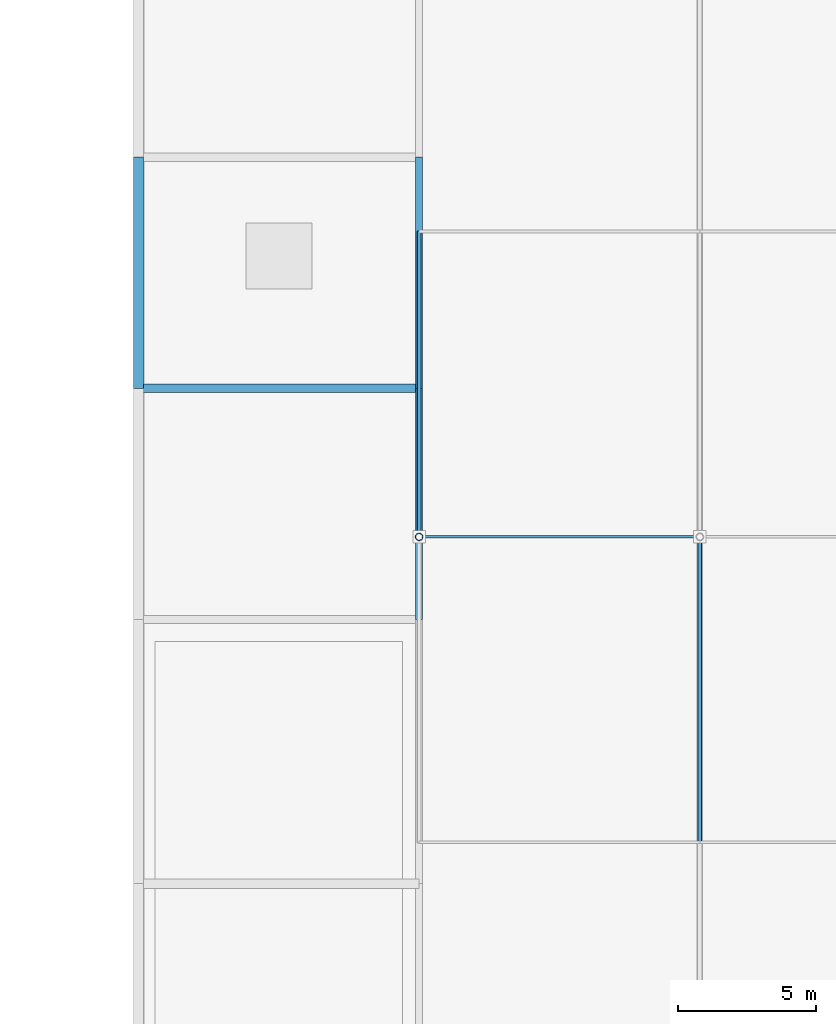
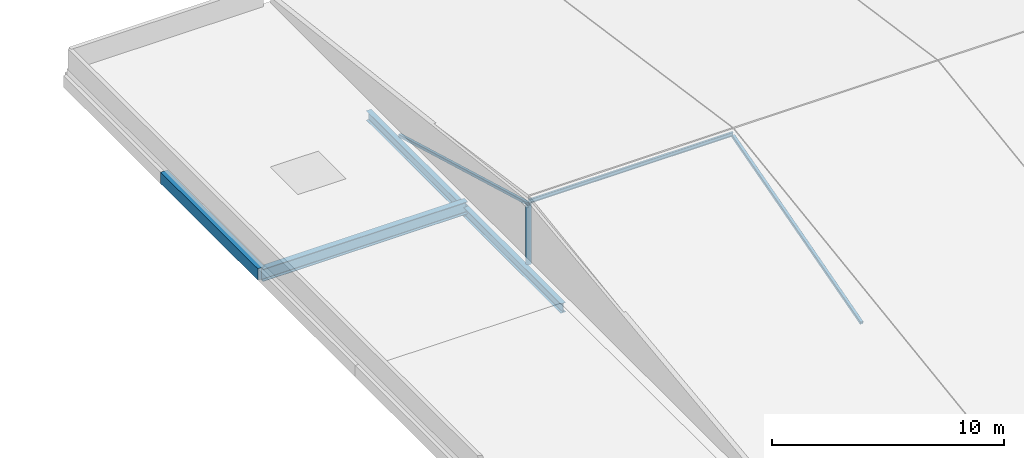
# One storey, part 74 of 135: 4 beams, 4 members.
"""IFC4 building model written with IfcOpenShell, lengths in metres."""

from ifc_helpers import new_model, si_unit, direction, frame, origin, origin_2d, place, context, subcontext, project, spatial, rectangle, hollow_rectangle, hollow_circle, i_section, extrude, material, material_profile, profile_set, type_object, element, save


model = new_model("IFC4")

# Units and contexts
model_context = context("Model", 3, precision=1e-05, world=origin(), true_north=direction((0.0, 1.0)))
body_context = subcontext(model_context, "Body", "Model", "MODEL_VIEW")
ifc_project = project(units=[si_unit("LENGTHUNIT", "METRE"), si_unit("AREAUNIT", "SQUARE_METRE"), si_unit("VOLUMEUNIT", "CUBIC_METRE"), si_unit("PLANEANGLEUNIT", "RADIAN"), si_unit("MASSUNIT", "GRAM", prefix="KILO")], contexts=[model_context])

# Site, building, storey
site_placement = place(None, origin())
site = spatial("IfcSite", under=ifc_project, at=site_placement, CompositionType="ELEMENT")
building_placement = place(site_placement, origin())
building = spatial("IfcBuilding", under=site, at=building_placement, Name="Brelvane Convention Centre", CompositionType="ELEMENT")
storey_placement = place(building_placement, frame((0.0, 0.0, 15.0)))
storey = spatial("IfcBuildingStorey", under=building, at=storey_placement, Name="L03", CompositionType="ELEMENT", Elevation=15.0)

# Beams
ifc_material_1 = material(Name="Concrete M40", Category="concrete")
ifc_material_profile_1 = material_profile(ifc_material_1, rectangle(XDim=0.35009765625, YDim=0.60009765625, at=origin_2d()), Name="RC 350x600")
ifc_profile_set_1 = profile_set([ifc_material_profile_1], Name="Concrete M40")
beam_type_1 = type_object("IfcBeamType", Name="RC Spandrel SP-RC2 (RC 350x600)", PredefinedType="SPANDREL", material=ifc_profile_set_1)
beam_1_placement = place(storey_placement, frame((163.199951171875, 127.199951171875, -0.60009765625), z_axis=(0.0, 1.0, 0.0), x_axis=(-1.0, 0.0, 0.0)))
element("IfcBeam", 1, at=beam_1_placement, inside=storey, type_object=beam_type_1, Name="L03 Girder 17/N-P", PredefinedType="SPANDREL", context=body_context, shape_type="SweptSolid", body=[
    extrude(rectangle(XDim=0.35009765625, YDim=0.60009765625, at=origin_2d()), origin(), (0.0, 0.0, 1.0), 8.400146484375),
])
ifc_material_2 = material(Name="Steel E350 (350 MPa)", Category="steel")
ifc_material_profile_2 = material_profile(ifc_material_2, i_section(OverallWidth=0.300048828125, OverallDepth=0.64990234375, WebThickness=0.014404296875, FlangeThickness=0.02587890625, FilletRadius=0.02392578125, at=origin_2d()), Name="NPB 650x300")
ifc_profile_set_2 = profile_set([ifc_material_profile_2], Name="Steel E350 (350 MPa)")
beam_type_2 = type_object("IfcBeamType", Name="Steel Beam B-ST4 (NPB 650x300)", PredefinedType="BEAM", material=ifc_profile_set_2)
beam_2_placement = place(storey_placement, frame((163.199951171875, 127.199951171875, -0.625), z_axis=(1.0, 0.0, 0.0), x_axis=(0.0, 1.0, 0.0)))
element("IfcBeam", 2, at=beam_2_placement, inside=storey, type_object=beam_type_2, Name="L03 Beam 17-18/N", PredefinedType="BEAM", context=body_context, shape_type="SweptSolid", body=[
    extrude(i_section(OverallWidth=0.300048828125, OverallDepth=0.64990234375, WebThickness=0.014404296875, FlangeThickness=0.02587890625, FilletRadius=0.02392578125, at=origin_2d()), origin(), (0.0, 0.0, 1.0), 10.199951171875),
])

# Members
ifc_material_3 = material(Name="Steel E350 (350 MPa)", Category="steel")
ifc_material_profile_3 = material_profile(ifc_material_3, hollow_rectangle(XDim=0.14990234375, YDim=0.14990234375, WallThickness=0.008056640625, InnerFilletRadius=0.008056640625, OuterFilletRadius=0.01611328125, at=origin_2d()), Name="SHS 150x150x8.0")
ifc_profile_set_3 = profile_set([ifc_material_profile_3], Name="Steel E350 (350 MPa)")
member_type_1 = type_object("IfcMemberType", Name="Steel Brace TR-WB1 (SHS 150x150x8.0)", PredefinedType="BRACE", material=ifc_profile_set_3)
member_1_placement = place(storey_placement, frame((173.39990234375, 132.89990234375, -0.35009765625), z_axis=(0.0, -0.962463289152, 0.271411895529), x_axis=(1.0, 0.0, 0.0)))
element("IfcMember", 3, at=member_1_placement, inside=storey, type_object=member_type_1, Name="Ballroom Roof Truss Web 1-N", PredefinedType="BRACE", context=body_context, shape_type="SweptSolid", body=[
    extrude(hollow_rectangle(XDim=0.14990234375, YDim=0.14990234375, WallThickness=0.008056640625, InnerFilletRadius=0.008056640625, OuterFilletRadius=0.01611328125, at=origin_2d()), origin(), (0.0, 0.0, 1.0), 11.53271484375),
])
member_2_placement = place(storey_placement, frame((183.60009765625, 110.699951171875, -0.35009765625), z_axis=(0.0, 0.96246484853, 0.271406365702), x_axis=(-1.0, 0.0, 0.0)))
element("IfcMember", 4, at=member_2_placement, inside=storey, type_object=member_type_1, Name="Ballroom Roof Truss Web 2-S", PredefinedType="BRACE", context=body_context, shape_type="SweptSolid", body=[
    extrude(hollow_rectangle(XDim=0.14990234375, YDim=0.14990234375, WallThickness=0.008056640625, InnerFilletRadius=0.008056640625, OuterFilletRadius=0.01611328125, at=origin_2d()), origin(), (0.0, 0.0, 1.0), 11.532958984375),
])
ifc_material_4 = material(Name="Steel E350 (350 MPa)", Category="steel")
ifc_material_profile_4 = material_profile(ifc_material_4, i_section(OverallWidth=0.10009765625, OverallDepth=0.199951171875, WebThickness=0.005615234375, FlangeThickness=0.0107421875, FilletRadius=0.010986328125, at=origin_2d()), Name="ISMB 200")
ifc_profile_set_4 = profile_set([ifc_material_profile_4], Name="Steel E350 (350 MPa)")
member_type_2 = type_object("IfcMemberType", Name="Steel Purlin PR-ST2 (ISMB 200)", PredefinedType="PURLIN", material=ifc_profile_set_4)
member_3_placement = place(storey_placement, frame((173.39990234375, 121.800048828125, 2.89990234375), z_axis=(1.0, 0.0, 0.0), x_axis=(0.0, 1.0, 0.0)))
element("IfcMember", 5, at=member_3_placement, inside=storey, type_object=member_type_2, Name="Ballroom Roof Purlin B1-P3", PredefinedType="PURLIN", context=body_context, shape_type="SweptSolid", body=[
    extrude(i_section(OverallWidth=0.10009765625, OverallDepth=0.199951171875, WebThickness=0.005615234375, FlangeThickness=0.0107421875, FilletRadius=0.010986328125, at=origin_2d()), origin(), (0.0, 0.0, 1.0), 10.2001953125),
])

# Beams
ifc_material_5 = material(Name="Steel E350 (350 MPa)", Category="steel")
ifc_material_profile_5 = material_profile(ifc_material_5, i_section(OverallWidth=0.25, OverallDepth=0.5, WebThickness=0.010009765625, FlangeThickness=0.0146484375, FilletRadius=0.01611328125, at=origin_2d()), Name="ISWB 500")
ifc_profile_set_5 = profile_set([ifc_material_profile_5], Name="Steel E350 (350 MPa)")
beam_type_3 = type_object("IfcBeamType", Name="Steel Spandrel SP-ST1 (ISWB 500)", PredefinedType="SPANDREL", material=ifc_profile_set_5)
beam_3_placement = place(storey_placement, frame((173.39990234375, 118.800048828125, -0.89990234375), z_axis=(0.0, 1.0, 0.0), x_axis=(-1.0, 0.0, 0.0)))
element("IfcBeam", 6, at=beam_3_placement, inside=storey, type_object=beam_type_3, Name="Ballroom Gable Tie Girder W-3", PredefinedType="SPANDREL", context=body_context, shape_type="SweptSolid", body=[
    extrude(i_section(OverallWidth=0.25, OverallDepth=0.5, WebThickness=0.010009765625, FlangeThickness=0.0146484375, FilletRadius=0.01611328125, at=origin_2d()), origin(), (0.0, 0.0, 1.0), 8.39990234375),
])
beam_4_placement = place(storey_placement, frame((173.39990234375, 127.199951171875, -0.89990234375), z_axis=(0.0, 1.0, 0.0), x_axis=(-1.0, 0.0, 0.0)))
element("IfcBeam", 7, at=beam_4_placement, inside=storey, type_object=beam_type_3, Name="Ballroom Gable Tie Girder W-4", PredefinedType="SPANDREL", context=body_context, shape_type="SweptSolid", body=[
    extrude(i_section(OverallWidth=0.25, OverallDepth=0.5, WebThickness=0.010009765625, FlangeThickness=0.0146484375, FilletRadius=0.01611328125, at=origin_2d()), origin(), (0.0, 0.0, 1.0), 8.400146484375),
])

# Member
ifc_material_6 = material(Name="Steel E350 (350 MPa)", Category="steel")
ifc_material_profile_6 = material_profile(ifc_material_6, hollow_circle(Radius=0.136474609375, WallThickness=0.012451171875, at=origin_2d()), Name="CHS 273.0x12.5")
ifc_profile_set_6 = profile_set([ifc_material_profile_6], Name="Steel E350 (350 MPa)")
member_type_3 = type_object("IfcMemberType", Name="Steel Strut SF-VT1 (CHS 273.0x12.5)", PredefinedType="STRUT", material=ifc_profile_set_6)
member_4_placement = place(storey_placement, frame((173.39990234375, 121.800048828125, -0.35009765625), z_axis=(0.0, 0.0, 1.0), x_axis=(1.0, 0.0, 0.0)))
element("IfcMember", 8, at=member_4_placement, inside=storey, type_object=member_type_3, Name="Ballroom Roof Truss Kingpost 1", PredefinedType="STRUT", context=body_context, shape_type="SweptSolid", body=[
    extrude(hollow_circle(Radius=0.136474609375, WallThickness=0.012451171875, at=origin_2d()), origin(), (0.0, 0.0, 1.0), 3.130126953125),
])

save(model, "model.ifc")
